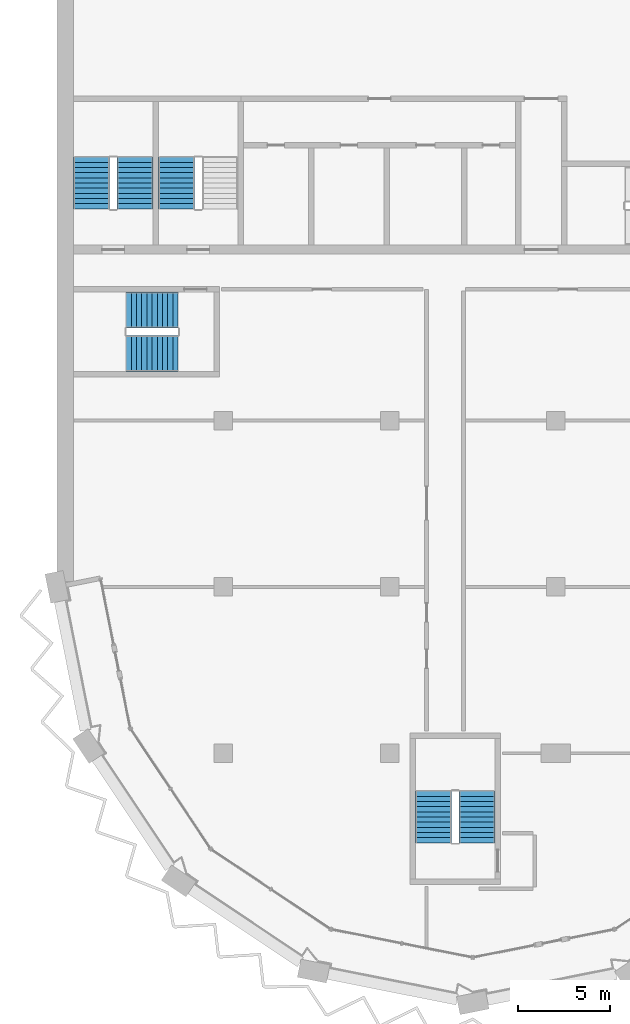
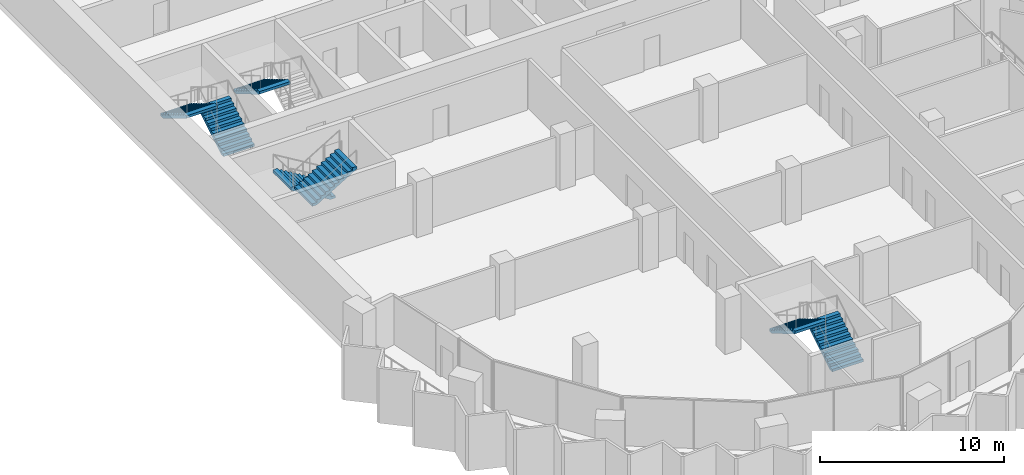
# One storey, part 11 of 16: 7 stair flights, 4 elements without a shape of their own.
"""IFC4 building model written with IfcOpenShell, lengths in metres."""

from ifc_helpers import new_model, si_unit, direction, frame, origin, place, context, subcontext, project, spatial, polyline, outline, extrude, material, type_object, element, aggregate, save


model = new_model("IFC4")

# Units and contexts
model_context = context("Model", 3, precision=1e-05, world=origin(), true_north=direction((0.0, 1.0)))
body_context = subcontext(model_context, "Body", "Model", "MODEL_VIEW")
ifc_project = project(units=[si_unit("LENGTHUNIT", "METRE"), si_unit("AREAUNIT", "SQUARE_METRE"), si_unit("VOLUMEUNIT", "CUBIC_METRE"), si_unit("PLANEANGLEUNIT", "RADIAN"), si_unit("MASSUNIT", "GRAM", prefix="KILO")], contexts=[model_context])

# Site, building, storey
site_placement = place(None, origin())
site = spatial("IfcSite", under=ifc_project, at=site_placement, CompositionType="ELEMENT")
building_placement = place(site_placement, origin())
building = spatial("IfcBuilding", under=site, at=building_placement, Name="Hunhe Ridgeline Campus", CompositionType="ELEMENT")
storey_placement = place(building_placement, frame((0.0, 0.0, 254.0)))
storey = spatial("IfcBuildingStorey", under=building, at=storey_placement, Name="L65", CompositionType="ELEMENT", Elevation=254.0)

# Stair, stair flights
ifc_material = material(Name="Concrete C40", Category="concrete")
stair_type = type_object("IfcStairType", Name="Reinforced concrete dog-leg stair 1950 Concrete C40", PredefinedType="HALF_TURN_STAIR", material=ifc_material)
stair_1_placement = place(storey_placement, origin())
stair_1 = element("IfcStair", 1, at=stair_1_placement, inside=storey, type_object=stair_type, Name="L65 S3", PredefinedType="HALF_TURN_STAIR")
stair_flight_type = type_object("IfcStairFlightType", Name="Reinforced concrete stair flight 1950 Concrete C40", PredefinedType="STRAIGHT", material=ifc_material)
stair_flight_1_placement = place(storey_placement, frame((4.22509765625, 65.449951171875, 0.0), z_axis=(0.0, 0.0, 1.0), x_axis=(0.0, 1.0, 0.0)))
stair_flight_1 = element("IfcStairFlight", 2, at=stair_flight_1_placement, type_object=stair_flight_type, Name="ST3 flight 1", NumberOfRisers=11, NumberOfTreads=10, PredefinedType="STRAIGHT", RiserHeight=0.168181818, TreadLength=0.28, context=body_context, shape_type="SweptSolid", body=[
    extrude(outline(polyline([(0.0, 0.0), (0.0, 0.168212890625), (0.280029296875, 0.168212890625), (0.280029296875, 0.33642578125), (0.56005859375, 0.33642578125), (0.56005859375, 0.504638671875), (0.840087890625, 0.504638671875), (0.840087890625, 0.672607421875), (1.1201171875, 0.672607421875), (1.1201171875, 0.8408203125), (1.39990234375, 0.8408203125), (1.39990234375, 1.009033203125), (1.679931640625, 1.009033203125), (1.679931640625, 1.17724609375), (1.9599609375, 1.17724609375), (1.9599609375, 1.345458984375), (2.239990234375, 1.345458984375), (2.239990234375, 1.513671875), (2.52001953125, 1.513671875), (2.52001953125, 1.681884765625), (2.800048828125, 1.681884765625), (2.800048828125, 1.85009765625), (2.800048828125, 1.5068359375), (0.291015625, 0.0), (0.0, 0.0)])), frame((0.0, 0.97509765625, 0.0), z_axis=(0.0, -1.0, 0.0), x_axis=(1.0, 0.0, 0.0)), (0.0, 0.0, 1.0), 1.949951171875),
    extrude(outline(polyline([(0.030029296875, 0.030029296875), (0.030029296875, 0.13818359375), (0.31005859375, 0.13818359375), (0.31005859375, 0.306396484375), (0.590087890625, 0.306396484375), (0.590087890625, 0.474609375), (0.8701171875, 0.474609375), (0.8701171875, 0.642578125), (1.14990234375, 0.642578125), (1.14990234375, 0.810791015625), (1.429931640625, 0.810791015625), (1.429931640625, 0.97900390625), (1.7099609375, 0.97900390625), (1.7099609375, 1.147216796875), (1.989990234375, 1.147216796875), (1.989990234375, 1.3154296875), (2.27001953125, 1.3154296875), (2.27001953125, 1.483642578125), (2.550048828125, 1.483642578125), (2.550048828125, 1.65185546875), (2.77001953125, 1.65185546875), (2.77001953125, 1.52392578125), (0.28271484375, 0.030029296875), (0.030029296875, 0.030029296875)])), frame((0.0, -0.070068359375, 0.0), z_axis=(0.0, -1.0, 0.0), x_axis=(1.0, 0.0, 0.0)), (0.0, 0.0, 1.0), 0.019775390625),
    extrude(outline(polyline([(0.030029296875, 0.030029296875), (0.030029296875, 0.13818359375), (0.31005859375, 0.13818359375), (0.31005859375, 0.306396484375), (0.590087890625, 0.306396484375), (0.590087890625, 0.474609375), (0.8701171875, 0.474609375), (0.8701171875, 0.642578125), (1.14990234375, 0.642578125), (1.14990234375, 0.810791015625), (1.429931640625, 0.810791015625), (1.429931640625, 0.97900390625), (1.7099609375, 0.97900390625), (1.7099609375, 1.147216796875), (1.989990234375, 1.147216796875), (1.989990234375, 1.3154296875), (2.27001953125, 1.3154296875), (2.27001953125, 1.483642578125), (2.550048828125, 1.483642578125), (2.550048828125, 1.65185546875), (2.77001953125, 1.65185546875), (2.77001953125, 1.52392578125), (0.28271484375, 0.030029296875), (0.030029296875, 0.030029296875)])), frame((0.0, 0.010009765625, 0.0), z_axis=(0.0, -1.0, 0.0), x_axis=(1.0, 0.0, 0.0)), (0.0, 0.0, 1.0), 0.019775390625),
    extrude(outline(polyline([(0.030029296875, 0.030029296875), (0.030029296875, 0.13818359375), (0.31005859375, 0.13818359375), (0.31005859375, 0.306396484375), (0.590087890625, 0.306396484375), (0.590087890625, 0.474609375), (0.8701171875, 0.474609375), (0.8701171875, 0.642578125), (1.14990234375, 0.642578125), (1.14990234375, 0.810791015625), (1.429931640625, 0.810791015625), (1.429931640625, 0.97900390625), (1.7099609375, 0.97900390625), (1.7099609375, 1.147216796875), (1.989990234375, 1.147216796875), (1.989990234375, 1.3154296875), (2.27001953125, 1.3154296875), (2.27001953125, 1.483642578125), (2.550048828125, 1.483642578125), (2.550048828125, 1.65185546875), (2.77001953125, 1.65185546875), (2.77001953125, 1.52392578125), (0.28271484375, 0.030029296875), (0.030029296875, 0.030029296875)])), frame((0.0, 0.090087890625, 0.0), z_axis=(0.0, -1.0, 0.0), x_axis=(1.0, 0.0, 0.0)), (0.0, 0.0, 1.0), 0.019775390625),
])
stair_flight_2_placement = place(storey_placement, frame((1.875, 68.25, 1.85009765625), z_axis=(0.0, 0.0, 1.0), x_axis=(0.0, -1.0, 0.0)))
stair_flight_2 = element("IfcStairFlight", 3, at=stair_flight_2_placement, type_object=stair_flight_type, Name="ST3 flight 2", NumberOfRisers=11, NumberOfTreads=10, PredefinedType="STRAIGHT", RiserHeight=0.168181818, TreadLength=0.28, context=body_context, shape_type="SweptSolid", body=[
    extrude(outline(polyline([(0.0, 0.0), (0.0, 0.168212890625), (0.280029296875, 0.168212890625), (0.280029296875, 0.33642578125), (0.56005859375, 0.33642578125), (0.56005859375, 0.504638671875), (0.840087890625, 0.504638671875), (0.840087890625, 0.672607421875), (1.1201171875, 0.672607421875), (1.1201171875, 0.8408203125), (1.39990234375, 0.8408203125), (1.39990234375, 1.009033203125), (1.679931640625, 1.009033203125), (1.679931640625, 1.17724609375), (1.9599609375, 1.17724609375), (1.9599609375, 1.345458984375), (2.239990234375, 1.345458984375), (2.239990234375, 1.513671875), (2.52001953125, 1.513671875), (2.52001953125, 1.681884765625), (2.800048828125, 1.681884765625), (2.800048828125, 1.85009765625), (2.800048828125, 1.5068359375), (0.291015625, 0.0), (0.0, 0.0)])), frame((0.0, 0.97509765625, 0.0), z_axis=(0.0, -1.0, 0.0), x_axis=(1.0, 0.0, 0.0)), (0.0, 0.0, 1.0), 1.949951171875),
    extrude(outline(polyline([(0.030029296875, 0.030029296875), (0.030029296875, 0.13818359375), (0.31005859375, 0.13818359375), (0.31005859375, 0.306396484375), (0.590087890625, 0.306396484375), (0.590087890625, 0.474609375), (0.8701171875, 0.474609375), (0.8701171875, 0.642578125), (1.14990234375, 0.642578125), (1.14990234375, 0.810791015625), (1.429931640625, 0.810791015625), (1.429931640625, 0.97900390625), (1.7099609375, 0.97900390625), (1.7099609375, 1.147216796875), (1.989990234375, 1.147216796875), (1.989990234375, 1.3154296875), (2.27001953125, 1.3154296875), (2.27001953125, 1.483642578125), (2.550048828125, 1.483642578125), (2.550048828125, 1.65185546875), (2.77001953125, 1.65185546875), (2.77001953125, 1.52392578125), (0.28271484375, 0.030029296875), (0.030029296875, 0.030029296875)])), frame((0.0, -0.070068359375, 0.0), z_axis=(0.0, -1.0, 0.0), x_axis=(1.0, 0.0, 0.0)), (0.0, 0.0, 1.0), 0.019775390625),
    extrude(outline(polyline([(0.030029296875, 0.030029296875), (0.030029296875, 0.13818359375), (0.31005859375, 0.13818359375), (0.31005859375, 0.306396484375), (0.590087890625, 0.306396484375), (0.590087890625, 0.474609375), (0.8701171875, 0.474609375), (0.8701171875, 0.642578125), (1.14990234375, 0.642578125), (1.14990234375, 0.810791015625), (1.429931640625, 0.810791015625), (1.429931640625, 0.97900390625), (1.7099609375, 0.97900390625), (1.7099609375, 1.147216796875), (1.989990234375, 1.147216796875), (1.989990234375, 1.3154296875), (2.27001953125, 1.3154296875), (2.27001953125, 1.483642578125), (2.550048828125, 1.483642578125), (2.550048828125, 1.65185546875), (2.77001953125, 1.65185546875), (2.77001953125, 1.52392578125), (0.28271484375, 0.030029296875), (0.030029296875, 0.030029296875)])), frame((0.0, 0.010009765625, 0.0), z_axis=(0.0, -1.0, 0.0), x_axis=(1.0, 0.0, 0.0)), (0.0, 0.0, 1.0), 0.019775390625),
    extrude(outline(polyline([(0.030029296875, 0.030029296875), (0.030029296875, 0.13818359375), (0.31005859375, 0.13818359375), (0.31005859375, 0.306396484375), (0.590087890625, 0.306396484375), (0.590087890625, 0.474609375), (0.8701171875, 0.474609375), (0.8701171875, 0.642578125), (1.14990234375, 0.642578125), (1.14990234375, 0.810791015625), (1.429931640625, 0.810791015625), (1.429931640625, 0.97900390625), (1.7099609375, 0.97900390625), (1.7099609375, 1.147216796875), (1.989990234375, 1.147216796875), (1.989990234375, 1.3154296875), (2.27001953125, 1.3154296875), (2.27001953125, 1.483642578125), (2.550048828125, 1.483642578125), (2.550048828125, 1.65185546875), (2.77001953125, 1.65185546875), (2.77001953125, 1.52392578125), (0.28271484375, 0.030029296875), (0.030029296875, 0.030029296875)])), frame((0.0, 0.090087890625, 0.0), z_axis=(0.0, -1.0, 0.0), x_axis=(1.0, 0.0, 0.0)), (0.0, 0.0, 1.0), 0.019775390625),
])
aggregate(stair_1, [stair_flight_1, stair_flight_2])

# Stair, stair flight
stair_2_placement = place(storey_placement, origin())
stair_2 = element("IfcStair", 4, at=stair_2_placement, inside=storey, type_object=stair_type, Name="L65 S4", PredefinedType="HALF_TURN_STAIR")
stair_flight_3_placement = place(storey_placement, frame((6.47509765625, 68.25, 1.85009765625), z_axis=(0.0, 0.0, 1.0), x_axis=(0.0, -1.0, 0.0)))
stair_flight_3 = element("IfcStairFlight", 5, at=stair_flight_3_placement, type_object=stair_flight_type, Name="ST4 flight 2", NumberOfRisers=11, NumberOfTreads=10, PredefinedType="STRAIGHT", RiserHeight=0.168181818, TreadLength=0.28, context=body_context, shape_type="SweptSolid", body=[
    extrude(outline(polyline([(0.0, 0.0), (0.0, 0.168212890625), (0.280029296875, 0.168212890625), (0.280029296875, 0.33642578125), (0.56005859375, 0.33642578125), (0.56005859375, 0.504638671875), (0.840087890625, 0.504638671875), (0.840087890625, 0.672607421875), (1.1201171875, 0.672607421875), (1.1201171875, 0.8408203125), (1.39990234375, 0.8408203125), (1.39990234375, 1.009033203125), (1.679931640625, 1.009033203125), (1.679931640625, 1.17724609375), (1.9599609375, 1.17724609375), (1.9599609375, 1.345458984375), (2.239990234375, 1.345458984375), (2.239990234375, 1.513671875), (2.52001953125, 1.513671875), (2.52001953125, 1.681884765625), (2.800048828125, 1.681884765625), (2.800048828125, 1.85009765625), (2.800048828125, 1.5068359375), (0.291015625, 0.0), (0.0, 0.0)])), frame((0.0, 0.97509765625, 0.0), z_axis=(0.0, -1.0, 0.0), x_axis=(1.0, 0.0, 0.0)), (0.0, 0.0, 1.0), 1.949951171875),
    extrude(outline(polyline([(0.030029296875, 0.030029296875), (0.030029296875, 0.13818359375), (0.31005859375, 0.13818359375), (0.31005859375, 0.306396484375), (0.590087890625, 0.306396484375), (0.590087890625, 0.474609375), (0.8701171875, 0.474609375), (0.8701171875, 0.642578125), (1.14990234375, 0.642578125), (1.14990234375, 0.810791015625), (1.429931640625, 0.810791015625), (1.429931640625, 0.97900390625), (1.7099609375, 0.97900390625), (1.7099609375, 1.147216796875), (1.989990234375, 1.147216796875), (1.989990234375, 1.3154296875), (2.27001953125, 1.3154296875), (2.27001953125, 1.483642578125), (2.550048828125, 1.483642578125), (2.550048828125, 1.65185546875), (2.77001953125, 1.65185546875), (2.77001953125, 1.52392578125), (0.28271484375, 0.030029296875), (0.030029296875, 0.030029296875)])), frame((0.0, -0.070068359375, 0.0), z_axis=(0.0, -1.0, 0.0), x_axis=(1.0, 0.0, 0.0)), (0.0, 0.0, 1.0), 0.019775390625),
    extrude(outline(polyline([(0.030029296875, 0.030029296875), (0.030029296875, 0.13818359375), (0.31005859375, 0.13818359375), (0.31005859375, 0.306396484375), (0.590087890625, 0.306396484375), (0.590087890625, 0.474609375), (0.8701171875, 0.474609375), (0.8701171875, 0.642578125), (1.14990234375, 0.642578125), (1.14990234375, 0.810791015625), (1.429931640625, 0.810791015625), (1.429931640625, 0.97900390625), (1.7099609375, 0.97900390625), (1.7099609375, 1.147216796875), (1.989990234375, 1.147216796875), (1.989990234375, 1.3154296875), (2.27001953125, 1.3154296875), (2.27001953125, 1.483642578125), (2.550048828125, 1.483642578125), (2.550048828125, 1.65185546875), (2.77001953125, 1.65185546875), (2.77001953125, 1.52392578125), (0.28271484375, 0.030029296875), (0.030029296875, 0.030029296875)])), frame((0.0, 0.010009765625, 0.0), z_axis=(0.0, -1.0, 0.0), x_axis=(1.0, 0.0, 0.0)), (0.0, 0.0, 1.0), 0.019775390625),
    extrude(outline(polyline([(0.030029296875, 0.030029296875), (0.030029296875, 0.13818359375), (0.31005859375, 0.13818359375), (0.31005859375, 0.306396484375), (0.590087890625, 0.306396484375), (0.590087890625, 0.474609375), (0.8701171875, 0.474609375), (0.8701171875, 0.642578125), (1.14990234375, 0.642578125), (1.14990234375, 0.810791015625), (1.429931640625, 0.810791015625), (1.429931640625, 0.97900390625), (1.7099609375, 0.97900390625), (1.7099609375, 1.147216796875), (1.989990234375, 1.147216796875), (1.989990234375, 1.3154296875), (2.27001953125, 1.3154296875), (2.27001953125, 1.483642578125), (2.550048828125, 1.483642578125), (2.550048828125, 1.65185546875), (2.77001953125, 1.65185546875), (2.77001953125, 1.52392578125), (0.28271484375, 0.030029296875), (0.030029296875, 0.030029296875)])), frame((0.0, 0.090087890625, 0.0), z_axis=(0.0, -1.0, 0.0), x_axis=(1.0, 0.0, 0.0)), (0.0, 0.0, 1.0), 0.019775390625),
])
aggregate(stair_2, [stair_flight_3])

# Stair, stair flights
stair_3_placement = place(storey_placement, origin())
stair_3 = element("IfcStair", 6, at=stair_3_placement, inside=storey, type_object=stair_type, Name="L65 W3", PredefinedType="HALF_TURN_STAIR")
stair_flight_4_placement = place(storey_placement, frame((22.72509765625, 31.14990234375, 0.0), z_axis=(0.0, 0.0, 1.0), x_axis=(0.0, 1.0, 0.0)))
stair_flight_4 = element("IfcStairFlight", 7, at=stair_flight_4_placement, type_object=stair_flight_type, Name="ST9 flight 1", NumberOfRisers=11, NumberOfTreads=10, PredefinedType="STRAIGHT", RiserHeight=0.168181818, TreadLength=0.28, context=body_context, shape_type="SweptSolid", body=[
    extrude(outline(polyline([(0.0, 0.0), (0.0, 0.168212890625), (0.280029296875, 0.168212890625), (0.280029296875, 0.33642578125), (0.56005859375, 0.33642578125), (0.56005859375, 0.504638671875), (0.840087890625, 0.504638671875), (0.840087890625, 0.672607421875), (1.1201171875, 0.672607421875), (1.1201171875, 0.8408203125), (1.39990234375, 0.8408203125), (1.39990234375, 1.009033203125), (1.679931640625, 1.009033203125), (1.679931640625, 1.17724609375), (1.9599609375, 1.17724609375), (1.9599609375, 1.345458984375), (2.239990234375, 1.345458984375), (2.239990234375, 1.513671875), (2.52001953125, 1.513671875), (2.52001953125, 1.681884765625), (2.800048828125, 1.681884765625), (2.800048828125, 1.85009765625), (2.800048828125, 1.5068359375), (0.291015625, 0.0), (0.0, 0.0)])), frame((0.0, 0.97509765625, 0.0), z_axis=(0.0, -1.0, 0.0), x_axis=(1.0, 0.0, 0.0)), (0.0, 0.0, 1.0), 1.949951171875),
    extrude(outline(polyline([(0.030029296875, 0.030029296875), (0.030029296875, 0.13818359375), (0.31005859375, 0.13818359375), (0.31005859375, 0.306396484375), (0.590087890625, 0.306396484375), (0.590087890625, 0.474609375), (0.8701171875, 0.474609375), (0.8701171875, 0.642578125), (1.14990234375, 0.642578125), (1.14990234375, 0.810791015625), (1.429931640625, 0.810791015625), (1.429931640625, 0.97900390625), (1.7099609375, 0.97900390625), (1.7099609375, 1.147216796875), (1.989990234375, 1.147216796875), (1.989990234375, 1.3154296875), (2.27001953125, 1.3154296875), (2.27001953125, 1.483642578125), (2.550048828125, 1.483642578125), (2.550048828125, 1.65185546875), (2.77001953125, 1.65185546875), (2.77001953125, 1.52392578125), (0.28271484375, 0.030029296875), (0.030029296875, 0.030029296875)])), frame((0.0, -0.070068359375, 0.0), z_axis=(0.0, -1.0, 0.0), x_axis=(1.0, 0.0, 0.0)), (0.0, 0.0, 1.0), 0.019775390625),
    extrude(outline(polyline([(0.030029296875, 0.030029296875), (0.030029296875, 0.13818359375), (0.31005859375, 0.13818359375), (0.31005859375, 0.306396484375), (0.590087890625, 0.306396484375), (0.590087890625, 0.474609375), (0.8701171875, 0.474609375), (0.8701171875, 0.642578125), (1.14990234375, 0.642578125), (1.14990234375, 0.810791015625), (1.429931640625, 0.810791015625), (1.429931640625, 0.97900390625), (1.7099609375, 0.97900390625), (1.7099609375, 1.147216796875), (1.989990234375, 1.147216796875), (1.989990234375, 1.3154296875), (2.27001953125, 1.3154296875), (2.27001953125, 1.483642578125), (2.550048828125, 1.483642578125), (2.550048828125, 1.65185546875), (2.77001953125, 1.65185546875), (2.77001953125, 1.52392578125), (0.28271484375, 0.030029296875), (0.030029296875, 0.030029296875)])), frame((0.0, 0.010009765625, 0.0), z_axis=(0.0, -1.0, 0.0), x_axis=(1.0, 0.0, 0.0)), (0.0, 0.0, 1.0), 0.019775390625),
    extrude(outline(polyline([(0.030029296875, 0.030029296875), (0.030029296875, 0.13818359375), (0.31005859375, 0.13818359375), (0.31005859375, 0.306396484375), (0.590087890625, 0.306396484375), (0.590087890625, 0.474609375), (0.8701171875, 0.474609375), (0.8701171875, 0.642578125), (1.14990234375, 0.642578125), (1.14990234375, 0.810791015625), (1.429931640625, 0.810791015625), (1.429931640625, 0.97900390625), (1.7099609375, 0.97900390625), (1.7099609375, 1.147216796875), (1.989990234375, 1.147216796875), (1.989990234375, 1.3154296875), (2.27001953125, 1.3154296875), (2.27001953125, 1.483642578125), (2.550048828125, 1.483642578125), (2.550048828125, 1.65185546875), (2.77001953125, 1.65185546875), (2.77001953125, 1.52392578125), (0.28271484375, 0.030029296875), (0.030029296875, 0.030029296875)])), frame((0.0, 0.090087890625, 0.0), z_axis=(0.0, -1.0, 0.0), x_axis=(1.0, 0.0, 0.0)), (0.0, 0.0, 1.0), 0.019775390625),
])
stair_flight_5_placement = place(storey_placement, frame((20.375, 33.949951171875, 1.85009765625), z_axis=(0.0, 0.0, 1.0), x_axis=(0.0, -1.0, 0.0)))
stair_flight_5 = element("IfcStairFlight", 8, at=stair_flight_5_placement, type_object=stair_flight_type, Name="ST9 flight 2", NumberOfRisers=11, NumberOfTreads=10, PredefinedType="STRAIGHT", RiserHeight=0.168181818, TreadLength=0.28, context=body_context, shape_type="SweptSolid", body=[
    extrude(outline(polyline([(0.0, 0.0), (0.0, 0.168212890625), (0.280029296875, 0.168212890625), (0.280029296875, 0.33642578125), (0.56005859375, 0.33642578125), (0.56005859375, 0.504638671875), (0.840087890625, 0.504638671875), (0.840087890625, 0.672607421875), (1.1201171875, 0.672607421875), (1.1201171875, 0.8408203125), (1.39990234375, 0.8408203125), (1.39990234375, 1.009033203125), (1.679931640625, 1.009033203125), (1.679931640625, 1.17724609375), (1.9599609375, 1.17724609375), (1.9599609375, 1.345458984375), (2.239990234375, 1.345458984375), (2.239990234375, 1.513671875), (2.52001953125, 1.513671875), (2.52001953125, 1.681884765625), (2.800048828125, 1.681884765625), (2.800048828125, 1.85009765625), (2.800048828125, 1.5068359375), (0.291015625, 0.0), (0.0, 0.0)])), frame((0.0, 0.97509765625, 0.0), z_axis=(0.0, -1.0, 0.0), x_axis=(1.0, 0.0, 0.0)), (0.0, 0.0, 1.0), 1.949951171875),
    extrude(outline(polyline([(0.030029296875, 0.030029296875), (0.030029296875, 0.13818359375), (0.31005859375, 0.13818359375), (0.31005859375, 0.306396484375), (0.590087890625, 0.306396484375), (0.590087890625, 0.474609375), (0.8701171875, 0.474609375), (0.8701171875, 0.642578125), (1.14990234375, 0.642578125), (1.14990234375, 0.810791015625), (1.429931640625, 0.810791015625), (1.429931640625, 0.97900390625), (1.7099609375, 0.97900390625), (1.7099609375, 1.147216796875), (1.989990234375, 1.147216796875), (1.989990234375, 1.3154296875), (2.27001953125, 1.3154296875), (2.27001953125, 1.483642578125), (2.550048828125, 1.483642578125), (2.550048828125, 1.65185546875), (2.77001953125, 1.65185546875), (2.77001953125, 1.52392578125), (0.28271484375, 0.030029296875), (0.030029296875, 0.030029296875)])), frame((0.0, -0.070068359375, 0.0), z_axis=(0.0, -1.0, 0.0), x_axis=(1.0, 0.0, 0.0)), (0.0, 0.0, 1.0), 0.019775390625),
    extrude(outline(polyline([(0.030029296875, 0.030029296875), (0.030029296875, 0.13818359375), (0.31005859375, 0.13818359375), (0.31005859375, 0.306396484375), (0.590087890625, 0.306396484375), (0.590087890625, 0.474609375), (0.8701171875, 0.474609375), (0.8701171875, 0.642578125), (1.14990234375, 0.642578125), (1.14990234375, 0.810791015625), (1.429931640625, 0.810791015625), (1.429931640625, 0.97900390625), (1.7099609375, 0.97900390625), (1.7099609375, 1.147216796875), (1.989990234375, 1.147216796875), (1.989990234375, 1.3154296875), (2.27001953125, 1.3154296875), (2.27001953125, 1.483642578125), (2.550048828125, 1.483642578125), (2.550048828125, 1.65185546875), (2.77001953125, 1.65185546875), (2.77001953125, 1.52392578125), (0.28271484375, 0.030029296875), (0.030029296875, 0.030029296875)])), frame((0.0, 0.010009765625, 0.0), z_axis=(0.0, -1.0, 0.0), x_axis=(1.0, 0.0, 0.0)), (0.0, 0.0, 1.0), 0.019775390625),
    extrude(outline(polyline([(0.030029296875, 0.030029296875), (0.030029296875, 0.13818359375), (0.31005859375, 0.13818359375), (0.31005859375, 0.306396484375), (0.590087890625, 0.306396484375), (0.590087890625, 0.474609375), (0.8701171875, 0.474609375), (0.8701171875, 0.642578125), (1.14990234375, 0.642578125), (1.14990234375, 0.810791015625), (1.429931640625, 0.810791015625), (1.429931640625, 0.97900390625), (1.7099609375, 0.97900390625), (1.7099609375, 1.147216796875), (1.989990234375, 1.147216796875), (1.989990234375, 1.3154296875), (2.27001953125, 1.3154296875), (2.27001953125, 1.483642578125), (2.550048828125, 1.483642578125), (2.550048828125, 1.65185546875), (2.77001953125, 1.65185546875), (2.77001953125, 1.52392578125), (0.28271484375, 0.030029296875), (0.030029296875, 0.030029296875)])), frame((0.0, 0.090087890625, 0.0), z_axis=(0.0, -1.0, 0.0), x_axis=(1.0, 0.0, 0.0)), (0.0, 0.0, 1.0), 0.019775390625),
])
aggregate(stair_3, [stair_flight_4, stair_flight_5])

stair_4_placement = place(storey_placement, origin())
stair_4 = element("IfcStair", 9, at=stair_4_placement, inside=storey, type_object=stair_type, Name="L65 W2", PredefinedType="HALF_TURN_STAIR")
stair_flight_6_placement = place(storey_placement, frame((6.550048828125, 59.97509765625, 0.0), z_axis=(0.0, 0.0, 1.0), x_axis=(-1.0, 0.0, 0.0)))
stair_flight_6 = element("IfcStairFlight", 10, at=stair_flight_6_placement, type_object=stair_flight_type, Name="ST12 flight 1", NumberOfRisers=11, NumberOfTreads=10, PredefinedType="STRAIGHT", RiserHeight=0.168181818, TreadLength=0.28, context=body_context, shape_type="SweptSolid", body=[
    extrude(outline(polyline([(0.0, 0.0), (0.0, 0.168212890625), (0.280029296875, 0.168212890625), (0.280029296875, 0.33642578125), (0.56005859375, 0.33642578125), (0.56005859375, 0.504638671875), (0.840087890625, 0.504638671875), (0.840087890625, 0.672607421875), (1.1201171875, 0.672607421875), (1.1201171875, 0.8408203125), (1.39990234375, 0.8408203125), (1.39990234375, 1.009033203125), (1.679931640625, 1.009033203125), (1.679931640625, 1.17724609375), (1.9599609375, 1.17724609375), (1.9599609375, 1.345458984375), (2.239990234375, 1.345458984375), (2.239990234375, 1.513671875), (2.52001953125, 1.513671875), (2.52001953125, 1.681884765625), (2.800048828125, 1.681884765625), (2.800048828125, 1.85009765625), (2.800048828125, 1.5068359375), (0.291015625, 0.0), (0.0, 0.0)])), frame((0.0, 0.97509765625, 0.0), z_axis=(0.0, -1.0, 0.0), x_axis=(1.0, 0.0, 0.0)), (0.0, 0.0, 1.0), 1.949951171875),
    extrude(outline(polyline([(0.030029296875, 0.030029296875), (0.030029296875, 0.13818359375), (0.31005859375, 0.13818359375), (0.31005859375, 0.306396484375), (0.590087890625, 0.306396484375), (0.590087890625, 0.474609375), (0.8701171875, 0.474609375), (0.8701171875, 0.642578125), (1.14990234375, 0.642578125), (1.14990234375, 0.810791015625), (1.429931640625, 0.810791015625), (1.429931640625, 0.97900390625), (1.7099609375, 0.97900390625), (1.7099609375, 1.147216796875), (1.989990234375, 1.147216796875), (1.989990234375, 1.3154296875), (2.27001953125, 1.3154296875), (2.27001953125, 1.483642578125), (2.550048828125, 1.483642578125), (2.550048828125, 1.65185546875), (2.77001953125, 1.65185546875), (2.77001953125, 1.52392578125), (0.28271484375, 0.030029296875), (0.030029296875, 0.030029296875)])), frame((0.0, -0.070068359375, 0.0), z_axis=(0.0, -1.0, 0.0), x_axis=(1.0, 0.0, 0.0)), (0.0, 0.0, 1.0), 0.019775390625),
    extrude(outline(polyline([(0.030029296875, 0.030029296875), (0.030029296875, 0.13818359375), (0.31005859375, 0.13818359375), (0.31005859375, 0.306396484375), (0.590087890625, 0.306396484375), (0.590087890625, 0.474609375), (0.8701171875, 0.474609375), (0.8701171875, 0.642578125), (1.14990234375, 0.642578125), (1.14990234375, 0.810791015625), (1.429931640625, 0.810791015625), (1.429931640625, 0.97900390625), (1.7099609375, 0.97900390625), (1.7099609375, 1.147216796875), (1.989990234375, 1.147216796875), (1.989990234375, 1.3154296875), (2.27001953125, 1.3154296875), (2.27001953125, 1.483642578125), (2.550048828125, 1.483642578125), (2.550048828125, 1.65185546875), (2.77001953125, 1.65185546875), (2.77001953125, 1.52392578125), (0.28271484375, 0.030029296875), (0.030029296875, 0.030029296875)])), frame((0.0, 0.010009765625, 0.0), z_axis=(0.0, -1.0, 0.0), x_axis=(1.0, 0.0, 0.0)), (0.0, 0.0, 1.0), 0.019775390625),
    extrude(outline(polyline([(0.030029296875, 0.030029296875), (0.030029296875, 0.13818359375), (0.31005859375, 0.13818359375), (0.31005859375, 0.306396484375), (0.590087890625, 0.306396484375), (0.590087890625, 0.474609375), (0.8701171875, 0.474609375), (0.8701171875, 0.642578125), (1.14990234375, 0.642578125), (1.14990234375, 0.810791015625), (1.429931640625, 0.810791015625), (1.429931640625, 0.97900390625), (1.7099609375, 0.97900390625), (1.7099609375, 1.147216796875), (1.989990234375, 1.147216796875), (1.989990234375, 1.3154296875), (2.27001953125, 1.3154296875), (2.27001953125, 1.483642578125), (2.550048828125, 1.483642578125), (2.550048828125, 1.65185546875), (2.77001953125, 1.65185546875), (2.77001953125, 1.52392578125), (0.28271484375, 0.030029296875), (0.030029296875, 0.030029296875)])), frame((0.0, 0.090087890625, 0.0), z_axis=(0.0, -1.0, 0.0), x_axis=(1.0, 0.0, 0.0)), (0.0, 0.0, 1.0), 0.019775390625),
])
stair_flight_7_placement = place(storey_placement, frame((3.75, 57.625, 1.85009765625), z_axis=(0.0, 0.0, 1.0), x_axis=(1.0, 0.0, 0.0)))
stair_flight_7 = element("IfcStairFlight", 11, at=stair_flight_7_placement, type_object=stair_flight_type, Name="ST12 flight 2", NumberOfRisers=11, NumberOfTreads=10, PredefinedType="STRAIGHT", RiserHeight=0.168181818, TreadLength=0.28, context=body_context, shape_type="SweptSolid", body=[
    extrude(outline(polyline([(0.0, 0.0), (0.0, 0.168212890625), (0.280029296875, 0.168212890625), (0.280029296875, 0.33642578125), (0.56005859375, 0.33642578125), (0.56005859375, 0.504638671875), (0.840087890625, 0.504638671875), (0.840087890625, 0.672607421875), (1.1201171875, 0.672607421875), (1.1201171875, 0.8408203125), (1.39990234375, 0.8408203125), (1.39990234375, 1.009033203125), (1.679931640625, 1.009033203125), (1.679931640625, 1.17724609375), (1.9599609375, 1.17724609375), (1.9599609375, 1.345458984375), (2.239990234375, 1.345458984375), (2.239990234375, 1.513671875), (2.52001953125, 1.513671875), (2.52001953125, 1.681884765625), (2.800048828125, 1.681884765625), (2.800048828125, 1.85009765625), (2.800048828125, 1.5068359375), (0.291015625, 0.0), (0.0, 0.0)])), frame((0.0, 0.97509765625, 0.0), z_axis=(0.0, -1.0, 0.0), x_axis=(1.0, 0.0, 0.0)), (0.0, 0.0, 1.0), 1.949951171875),
    extrude(outline(polyline([(0.030029296875, 0.030029296875), (0.030029296875, 0.13818359375), (0.31005859375, 0.13818359375), (0.31005859375, 0.306396484375), (0.590087890625, 0.306396484375), (0.590087890625, 0.474609375), (0.8701171875, 0.474609375), (0.8701171875, 0.642578125), (1.14990234375, 0.642578125), (1.14990234375, 0.810791015625), (1.429931640625, 0.810791015625), (1.429931640625, 0.97900390625), (1.7099609375, 0.97900390625), (1.7099609375, 1.147216796875), (1.989990234375, 1.147216796875), (1.989990234375, 1.3154296875), (2.27001953125, 1.3154296875), (2.27001953125, 1.483642578125), (2.550048828125, 1.483642578125), (2.550048828125, 1.65185546875), (2.77001953125, 1.65185546875), (2.77001953125, 1.52392578125), (0.28271484375, 0.030029296875), (0.030029296875, 0.030029296875)])), frame((0.0, -0.070068359375, 0.0), z_axis=(0.0, -1.0, 0.0), x_axis=(1.0, 0.0, 0.0)), (0.0, 0.0, 1.0), 0.019775390625),
    extrude(outline(polyline([(0.030029296875, 0.030029296875), (0.030029296875, 0.13818359375), (0.31005859375, 0.13818359375), (0.31005859375, 0.306396484375), (0.590087890625, 0.306396484375), (0.590087890625, 0.474609375), (0.8701171875, 0.474609375), (0.8701171875, 0.642578125), (1.14990234375, 0.642578125), (1.14990234375, 0.810791015625), (1.429931640625, 0.810791015625), (1.429931640625, 0.97900390625), (1.7099609375, 0.97900390625), (1.7099609375, 1.147216796875), (1.989990234375, 1.147216796875), (1.989990234375, 1.3154296875), (2.27001953125, 1.3154296875), (2.27001953125, 1.483642578125), (2.550048828125, 1.483642578125), (2.550048828125, 1.65185546875), (2.77001953125, 1.65185546875), (2.77001953125, 1.52392578125), (0.28271484375, 0.030029296875), (0.030029296875, 0.030029296875)])), frame((0.0, 0.010009765625, 0.0), z_axis=(0.0, -1.0, 0.0), x_axis=(1.0, 0.0, 0.0)), (0.0, 0.0, 1.0), 0.019775390625),
    extrude(outline(polyline([(0.030029296875, 0.030029296875), (0.030029296875, 0.13818359375), (0.31005859375, 0.13818359375), (0.31005859375, 0.306396484375), (0.590087890625, 0.306396484375), (0.590087890625, 0.474609375), (0.8701171875, 0.474609375), (0.8701171875, 0.642578125), (1.14990234375, 0.642578125), (1.14990234375, 0.810791015625), (1.429931640625, 0.810791015625), (1.429931640625, 0.97900390625), (1.7099609375, 0.97900390625), (1.7099609375, 1.147216796875), (1.989990234375, 1.147216796875), (1.989990234375, 1.3154296875), (2.27001953125, 1.3154296875), (2.27001953125, 1.483642578125), (2.550048828125, 1.483642578125), (2.550048828125, 1.65185546875), (2.77001953125, 1.65185546875), (2.77001953125, 1.52392578125), (0.28271484375, 0.030029296875), (0.030029296875, 0.030029296875)])), frame((0.0, 0.090087890625, 0.0), z_axis=(0.0, -1.0, 0.0), x_axis=(1.0, 0.0, 0.0)), (0.0, 0.0, 1.0), 0.019775390625),
])
aggregate(stair_4, [stair_flight_6, stair_flight_7])

save(model, "model.ifc")
